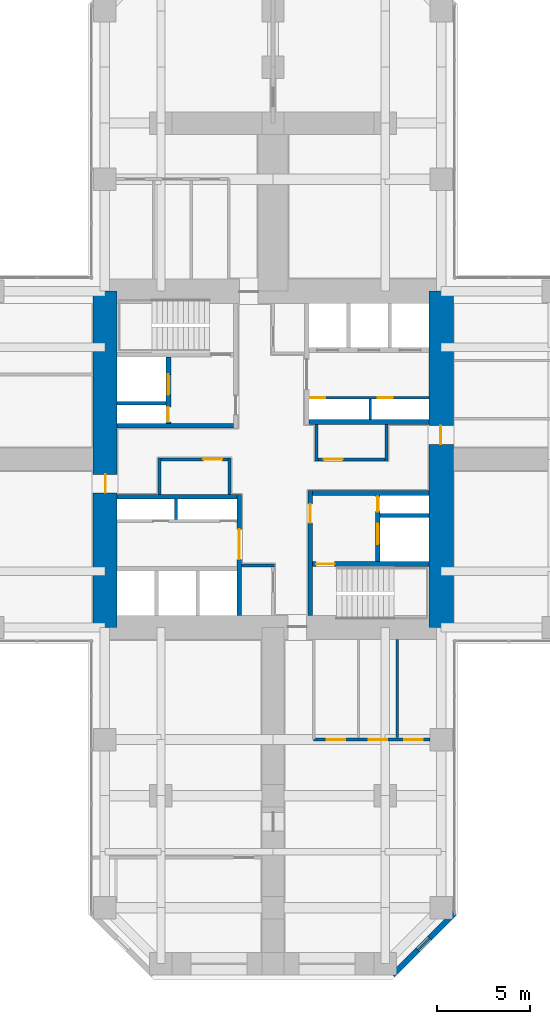
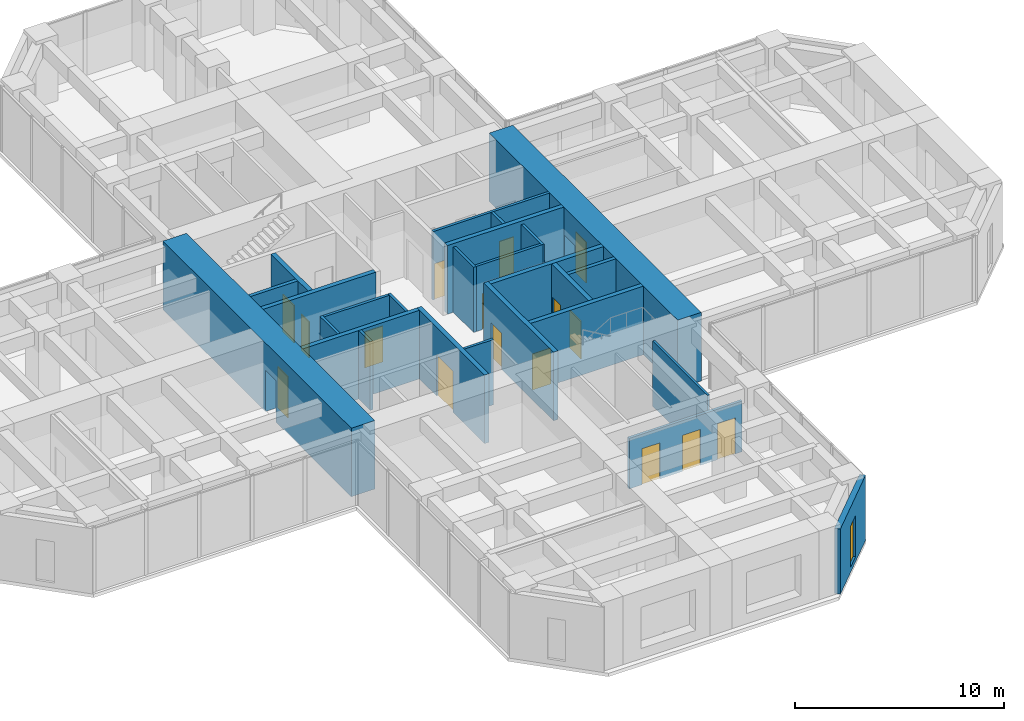
# One storey, part 9 of 12: 26 walls, 16 doors, 1 window, 17 openings.
"""IFC4 building model written with IfcOpenShell, lengths in metres."""

from ifc_helpers import new_model, si_unit, direction, frame, frame_2d, origin, place, context, subcontext, project, spatial, rectangle, hollow_rectangle, extrude, material, layer, layer_set, constituent, constituent_set, type_object, element, fill, save


model = new_model("IFC4")

# Units and contexts
model_context = context("Model", 3, precision=1e-05, world=origin(), true_north=direction((0.0, 1.0)))
body_context = subcontext(model_context, "Body", "Model", "MODEL_VIEW")
ifc_project = project(units=[si_unit("LENGTHUNIT", "METRE"), si_unit("AREAUNIT", "SQUARE_METRE"), si_unit("VOLUMEUNIT", "CUBIC_METRE"), si_unit("PLANEANGLEUNIT", "RADIAN"), si_unit("MASSUNIT", "GRAM", prefix="KILO")], contexts=[model_context])

# Site, building, storey
site_placement = place(None, origin())
site = spatial("IfcSite", under=ifc_project, at=site_placement, CompositionType="ELEMENT")
building_placement = place(site_placement, origin())
building = spatial("IfcBuilding", under=site, at=building_placement, Name="Torre Cruceta", CompositionType="ELEMENT")
storey_placement = place(building_placement, frame((0.0, 0.0, 63.5)))
storey = spatial("IfcBuildingStorey", under=building, at=storey_placement, Name="L15", CompositionType="ELEMENT", Elevation=63.5)

# Walls
ifc_material_1 = material(Name="Concrete G60 (fck 60 MPa)", Category="concrete")
ifc_layer_1 = layer(ifc_material_1, 0.25)
ifc_layer_set_1 = layer_set([ifc_layer_1], Name="Concrete G60 (fck 60 MPa)")
wall_type_1 = type_object("IfcWallType", Name="CORE INNER WALL 250 G60", PredefinedType="SHEAR", material=ifc_layer_set_1)
wall_1_placement = place(storey_placement, frame((1.925048828125, 2.0, 0.0), z_axis=(0.0, 0.0, 1.0), x_axis=(1.0, 0.0, 0.0)))
element("IfcWall", 1, at=wall_1_placement, inside=storey, type_object=wall_type_1, Name="CW4 L15 NE-CV", PredefinedType="SHEAR", context=body_context, shape_type="SweptSolid", body=[
    extrude(rectangle(XDim=6.425048828125, YDim=0.25, at=frame_2d((3.21240234375, 0.0))), origin(), (0.0, 0.0, 1.0), 4.0),
])
wall_2_placement = place(storey_placement, frame((-2.125, 1.800048828125, 0.0), z_axis=(0.0, 0.0, 1.0), x_axis=(-1.0, 0.0, 0.0)))
element("IfcWall", 2, at=wall_2_placement, inside=storey, type_object=wall_type_1, Name="CW4 L15 NW-CV", PredefinedType="SHEAR", context=body_context, shape_type="SweptSolid", body=[
    extrude(rectangle(XDim=6.22509765625, YDim=0.25, at=frame_2d((3.112548828125, 0.0))), origin(), (0.0, 0.0, 1.0), 4.0),
])

# Wall, openings, doors
wall_3_placement = place(storey_placement, frame((-5.60009765625, 1.925048828125, 0.0), z_axis=(0.0, 0.0, 1.0), x_axis=(0.0, 1.0, 0.0)))
wall_3 = element("IfcWall", 3, at=wall_3_placement, inside=storey, type_object=wall_type_1, Name="CW4 L15 NW-FU", PredefinedType="SHEAR", context=body_context, shape_type="SweptSolid", body=[
    extrude(rectangle(XDim=3.550048828125, YDim=0.25, at=frame_2d((1.77490234375, 0.0))), origin(), (0.0, 0.0, 1.0), 4.0),
])
opening_1_placement = place(wall_3_placement, frame((1.52490234375, 0.0, 0.0)))
opening_1 = element("IfcOpeningElement", 4, at=opening_1_placement, cuts=wall_3, Name="Opening LD1", PredefinedType="OPENING", context=body_context, shape_type="SweptSolid", body=[
    extrude(rectangle(XDim=1.10009765625, YDim=2.199951171875, at=frame_2d((0.550048828125, 1.10009765625))), frame((0.0, 0.135009765625, 0.0), z_axis=(0.0, -1.0, 0.0), x_axis=(1.0, 0.0, 0.0)), (0.0, 0.0, 1.0), 0.27001953125),
])
opening_2_placement = place(wall_3_placement, frame((0.074951171875, 0.0, 0.0)))
opening_2 = element("IfcOpeningElement", 5, at=opening_2_placement, cuts=wall_3, Name="Opening D5", PredefinedType="OPENING", context=body_context, shape_type="SweptSolid", body=[
    extrude(rectangle(XDim=0.800048828125, YDim=2.10009765625, at=frame_2d((0.39990234375, 1.050048828125))), frame((0.0, 0.135009765625, 0.0), z_axis=(0.0, -1.0, 0.0), x_axis=(1.0, 0.0, 0.0)), (0.0, 0.0, 1.0), 0.27001953125),
])
ifc_material_2 = material(Name="Stainless steel 1.4401", Category="steel")
door_type_1 = type_object("IfcDoorType", Name="LIFT LANDING DOOR 1100X2200", OperationType="DOUBLE_DOOR_SLIDING", PredefinedType="DOOR", material=ifc_material_2)
door_1_placement = place(opening_1_placement, origin())
door_1 = element("IfcDoor", 6, at=door_1_placement, inside=storey, type_object=door_type_1, Name="Lift landing door FL1", OperationType="DOUBLE_DOOR_SLIDING", OverallHeight=2.199951171875, OverallWidth=1.10009765625, PredefinedType="DOOR", context=body_context, shape_type="SweptSolid", body=[
    extrude(rectangle(XDim=1.10009765625, YDim=2.199951171875, at=frame_2d((0.550048828125, 1.10009765625))), frame((0.0, 0.02490234375, 0.0), z_axis=(0.0, -1.0, 0.0), x_axis=(1.0, 0.0, 0.0)), (0.0, 0.0, 1.0), 0.050048828125),
])
fill(opening_1, door_1)
ifc_material_3 = material(Name="Steel DX51D", Category="steel")
ifc_constituent_1 = constituent(ifc_material_3, Name="Leaf and frame")
ifc_material_4 = material(Name="Polyester powder coating", Category="paint")
ifc_constituent_2 = constituent(ifc_material_4, Name="Finish")
ifc_constituent_set_1 = constituent_set(constituents=[ifc_constituent_1, ifc_constituent_2], Name="Steel fire door")
door_type_2 = type_object("IfcDoorType", Name="RISER ACCESS DOOR 800X2100", OperationType="SINGLE_SWING_LEFT", PredefinedType="DOOR", material=ifc_constituent_set_1)
door_2_placement = place(opening_2_placement, origin())
door_2 = element("IfcDoor", 7, at=door_2_placement, inside=storey, type_object=door_type_2, Name="D5 L15 NW-RISER", OperationType="SINGLE_SWING_LEFT", OverallHeight=2.10009765625, OverallWidth=0.800048828125, PredefinedType="DOOR", context=body_context, shape_type="SweptSolid", body=[
    extrude(rectangle(XDim=0.800048828125, YDim=2.10009765625, at=frame_2d((0.39990234375, 1.050048828125))), frame((0.0, 0.02490234375, 0.0), z_axis=(0.0, -1.0, 0.0), x_axis=(1.0, 0.0, 0.0)), (0.0, 0.0, 1.0), 0.050048828125),
])
fill(opening_2, door_2)

# Wall, opening, door
wall_4_placement = place(storey_placement, frame((-1.800048828125, -1.875, 0.0), z_axis=(0.0, 0.0, 1.0), x_axis=(0.0, -1.0, 0.0)))
wall_4 = element("IfcWall", 8, at=wall_4_placement, inside=storey, type_object=wall_type_1, Name="CW4 L15 SW-CU", PredefinedType="SHEAR", context=body_context, shape_type="SweptSolid", body=[
    extrude(rectangle(XDim=6.47509765625, YDim=0.25, at=frame_2d((3.237548828125, 0.0))), origin(), (0.0, 0.0, 1.0), 4.0),
])
opening_3_placement = place(wall_4_placement, frame((1.875, 0.0, 0.0)))
opening_3 = element("IfcOpeningElement", 9, at=opening_3_placement, cuts=wall_4, Name="Opening D15", PredefinedType="OPENING", context=body_context, shape_type="SweptSolid", body=[
    extrude(rectangle(XDim=1.60009765625, YDim=2.39990234375, at=frame_2d((0.800048828125, 1.199951171875))), frame((0.0, 0.135009765625, 0.0), z_axis=(0.0, -1.0, 0.0), x_axis=(1.0, 0.0, 0.0)), (0.0, 0.0, 1.0), 0.27001953125),
])
ifc_material_5 = material(Name="Steel DX51D", Category="steel")
ifc_constituent_3 = constituent(ifc_material_5, Name="Leaf and frame")
ifc_material_6 = material(Name="Polyester powder coating", Category="paint")
ifc_constituent_4 = constituent(ifc_material_6, Name="Finish")
ifc_constituent_set_2 = constituent_set(constituents=[ifc_constituent_3, ifc_constituent_4], Name="Steel fire door")
door_type_3 = type_object("IfcDoorType", Name="CORE ROOM DOUBLE DOOR 1600X2400", OperationType="DOUBLE_DOOR_SINGLE_SWING", PredefinedType="DOOR", material=ifc_constituent_set_2)
door_3_placement = place(opening_3_placement, frame((1.60009765625, 0.0, 0.0), z_axis=(0.0, 0.0, 1.0), x_axis=(-1.0, 0.0, 0.0)))
door_3 = element("IfcDoor", 10, at=door_3_placement, inside=storey, type_object=door_type_3, Name="D15 L15 SW-LOBBY", OperationType="DOUBLE_DOOR_SINGLE_SWING", OverallHeight=2.39990234375, OverallWidth=1.60009765625, PredefinedType="DOOR", context=body_context, shape_type="SweptSolid", body=[
    extrude(rectangle(XDim=1.60009765625, YDim=2.39990234375, at=frame_2d((0.800048828125, 1.199951171875))), frame((0.0, 0.025146484375, 0.0), z_axis=(0.0, -1.0, 0.0), x_axis=(1.0, 0.0, 0.0)), (0.0, 0.0, 1.0), 0.050048828125),
])
fill(opening_3, door_3)

# Wall
wall_5_placement = place(storey_placement, frame((-1.925048828125, -2.0, 0.0), z_axis=(0.0, 0.0, 1.0), x_axis=(-1.0, 0.0, 0.0)))
element("IfcWall", 11, at=wall_5_placement, inside=storey, type_object=wall_type_1, Name="CW4 L15 SW-CV", PredefinedType="SHEAR", context=body_context, shape_type="SweptSolid", body=[
    extrude(rectangle(XDim=6.425048828125, YDim=0.25, at=frame_2d((3.21240234375, 0.0))), origin(), (0.0, 0.0, 1.0), 4.0),
])

# Wall, opening, door
wall_6_placement = place(storey_placement, frame((2.0, -1.675048828125, 0.0), z_axis=(0.0, 0.0, 1.0), x_axis=(0.0, -1.0, 0.0)))
wall_6 = element("IfcWall", 12, at=wall_6_placement, inside=storey, type_object=wall_type_1, Name="CW4 L15 SE-CU", PredefinedType="SHEAR", context=body_context, shape_type="SweptSolid", body=[
    extrude(rectangle(XDim=6.675048828125, YDim=0.25, at=frame_2d((3.33740234375, 0.0))), origin(), (0.0, 0.0, 1.0), 4.0),
])
opening_4_placement = place(wall_6_placement, frame((0.72509765625, 0.0, 0.0)))
opening_4 = element("IfcOpeningElement", 13, at=opening_4_placement, cuts=wall_6, Name="Opening D3", PredefinedType="OPENING", context=body_context, shape_type="SweptSolid", body=[
    extrude(rectangle(XDim=1.0, YDim=2.10009765625, at=frame_2d((0.5, 1.050048828125))), frame((0.0, 0.135009765625, 0.0), z_axis=(0.0, -1.0, 0.0), x_axis=(1.0, 0.0, 0.0)), (0.0, 0.0, 1.0), 0.27001953125),
])
ifc_material_7 = material(Name="Steel DX51D", Category="steel")
ifc_constituent_5 = constituent(ifc_material_7, Name="Leaf and frame")
ifc_material_8 = material(Name="Polyester powder coating", Category="paint")
ifc_constituent_6 = constituent(ifc_material_8, Name="Finish")
ifc_constituent_set_3 = constituent_set(constituents=[ifc_constituent_5, ifc_constituent_6], Name="Steel fire door")
door_type_4 = type_object("IfcDoorType", Name="FIRE DOOR 1000X2100", OperationType="SINGLE_SWING_LEFT", PredefinedType="DOOR", material=ifc_constituent_set_3)
door_4_placement = place(opening_4_placement, origin())
door_4 = element("IfcDoor", 14, at=door_4_placement, inside=storey, type_object=door_type_4, Name="D3 L15 SE-LOBBY", OperationType="SINGLE_SWING_LEFT", OverallHeight=2.10009765625, OverallWidth=1.0, PredefinedType="DOOR", context=body_context, shape_type="SweptSolid", body=[
    extrude(rectangle(XDim=1.0, YDim=2.10009765625, at=frame_2d((0.5, 1.050048828125))), frame((0.0, 0.02490234375, 0.0), z_axis=(0.0, -1.0, 0.0), x_axis=(1.0, 0.0, 0.0)), (0.0, 0.0, 1.0), 0.050048828125),
])
fill(opening_4, door_4)

# Wall
wall_7_placement = place(storey_placement, frame((2.125, -1.800048828125, 0.0), z_axis=(0.0, 0.0, 1.0), x_axis=(1.0, 0.0, 0.0)))
element("IfcWall", 15, at=wall_7_placement, inside=storey, type_object=wall_type_1, Name="CW4 L15 SE-CV", PredefinedType="SHEAR", context=body_context, shape_type="SweptSolid", body=[
    extrude(rectangle(XDim=6.22509765625, YDim=0.25, at=frame_2d((3.112548828125, 0.0))), origin(), (0.0, 0.0, 1.0), 4.0),
])

# Wall, opening, door
wall_8_placement = place(storey_placement, frame((2.125, -5.60009765625, 0.0), z_axis=(0.0, 0.0, 1.0), x_axis=(1.0, 0.0, 0.0)))
wall_8 = element("IfcWall", 16, at=wall_8_placement, inside=storey, type_object=wall_type_1, Name="CW4 L15 SE-SV", PredefinedType="SHEAR", context=body_context, shape_type="SweptSolid", body=[
    extrude(rectangle(XDim=6.22509765625, YDim=0.25, at=frame_2d((3.112548828125, 0.0))), origin(), (0.0, 0.0, 1.0), 4.0),
])
opening_5_placement = place(wall_8_placement, frame((0.175048828125, 0.0, 0.0)))
opening_5 = element("IfcOpeningElement", 17, at=opening_5_placement, cuts=wall_8, Name="Opening D3", PredefinedType="OPENING", context=body_context, shape_type="SweptSolid", body=[
    extrude(rectangle(XDim=1.0, YDim=2.10009765625, at=frame_2d((0.5, 1.050048828125))), frame((0.0, 0.135009765625, 0.0), z_axis=(0.0, -1.0, 0.0), x_axis=(1.0, 0.0, 0.0)), (0.0, 0.0, 1.0), 0.27001953125),
])
door_5_placement = place(opening_5_placement, frame((1.0, 0.0, 0.0), z_axis=(0.0, 0.0, 1.0), x_axis=(-1.0, 0.0, 0.0)))
door_5 = element("IfcDoor", 18, at=door_5_placement, inside=storey, type_object=door_type_4, Name="D3 L15 SE-STAIR", OperationType="SINGLE_SWING_RIGHT", OverallHeight=2.10009765625, OverallWidth=1.0, PredefinedType="DOOR", context=body_context, shape_type="SweptSolid", body=[
    extrude(rectangle(XDim=1.0, YDim=2.10009765625, at=frame_2d((0.5, 1.050048828125))), frame((0.0, 0.025146484375, 0.0), z_axis=(0.0, -1.0, 0.0), x_axis=(1.0, 0.0, 0.0)), (0.0, 0.0, 1.0), 0.050048828125),
])
fill(opening_5, door_5)

# Wall, openings, doors
wall_9_placement = place(storey_placement, frame((5.60009765625, -1.925048828125, 0.0), z_axis=(0.0, 0.0, 1.0), x_axis=(0.0, -1.0, 0.0)))
wall_9 = element("IfcWall", 19, at=wall_9_placement, inside=storey, type_object=wall_type_1, Name="CW4 L15 SE-FU", PredefinedType="SHEAR", context=body_context, shape_type="SweptSolid", body=[
    extrude(rectangle(XDim=3.550048828125, YDim=0.25, at=frame_2d((1.77490234375, 0.0))), origin(), (0.0, 0.0, 1.0), 4.0),
])
opening_6_placement = place(wall_9_placement, frame((1.52490234375, 0.0, 0.0)))
opening_6 = element("IfcOpeningElement", 20, at=opening_6_placement, cuts=wall_9, Name="Opening LD1", PredefinedType="OPENING", context=body_context, shape_type="SweptSolid", body=[
    extrude(rectangle(XDim=1.10009765625, YDim=2.199951171875, at=frame_2d((0.550048828125, 1.10009765625))), frame((0.0, 0.135009765625, 0.0), z_axis=(0.0, -1.0, 0.0), x_axis=(1.0, 0.0, 0.0)), (0.0, 0.0, 1.0), 0.27001953125),
])
opening_7_placement = place(wall_9_placement, frame((0.074951171875, 0.0, 0.0)))
opening_7 = element("IfcOpeningElement", 21, at=opening_7_placement, cuts=wall_9, Name="Opening D5", PredefinedType="OPENING", context=body_context, shape_type="SweptSolid", body=[
    extrude(rectangle(XDim=0.800048828125, YDim=2.10009765625, at=frame_2d((0.39990234375, 1.050048828125))), frame((0.0, 0.135009765625, 0.0), z_axis=(0.0, -1.0, 0.0), x_axis=(1.0, 0.0, 0.0)), (0.0, 0.0, 1.0), 0.27001953125),
])
door_6_placement = place(opening_6_placement, origin())
door_6 = element("IfcDoor", 22, at=door_6_placement, inside=storey, type_object=door_type_1, Name="Lift landing door FL2", OperationType="DOUBLE_DOOR_SLIDING", OverallHeight=2.199951171875, OverallWidth=1.10009765625, PredefinedType="DOOR", context=body_context, shape_type="SweptSolid", body=[
    extrude(rectangle(XDim=1.10009765625, YDim=2.199951171875, at=frame_2d((0.550048828125, 1.10009765625))), frame((0.0, 0.02490234375, 0.0), z_axis=(0.0, -1.0, 0.0), x_axis=(1.0, 0.0, 0.0)), (0.0, 0.0, 1.0), 0.050048828125),
])
fill(opening_6, door_6)
door_7_placement = place(opening_7_placement, origin())
door_7 = element("IfcDoor", 23, at=door_7_placement, inside=storey, type_object=door_type_2, Name="D5 L15 SE-RISER", OperationType="SINGLE_SWING_LEFT", OverallHeight=2.10009765625, OverallWidth=0.800048828125, PredefinedType="DOOR", context=body_context, shape_type="SweptSolid", body=[
    extrude(rectangle(XDim=0.800048828125, YDim=2.10009765625, at=frame_2d((0.39990234375, 1.050048828125))), frame((0.0, 0.02490234375, 0.0), z_axis=(0.0, -1.0, 0.0), x_axis=(1.0, 0.0, 0.0)), (0.0, 0.0, 1.0), 0.050048828125),
])
fill(opening_7, door_7)

# Wall, opening, door
ifc_material_9 = material(Name="Concrete G60 (fck 60 MPa)", Category="concrete")
ifc_layer_2 = layer(ifc_material_9, 1.300048828125)
ifc_layer_set_2 = layer_set([ifc_layer_2], Name="Concrete G60 (fck 60 MPa)")
wall_type_2 = type_object("IfcWallType", Name="CORE WALL 1300 G60", PredefinedType="SHEAR", material=ifc_layer_set_2)
wall_10_placement = place(storey_placement, frame((9.0, -9.0, 0.0), z_axis=(0.0, 0.0, 1.0), x_axis=(0.0, 1.0, 0.0)))
wall_10 = element("IfcWall", 24, at=wall_10_placement, inside=storey, type_object=wall_type_2, Name="CW1 L15 CW-E", PredefinedType="SHEAR", context=body_context, shape_type="SweptSolid", body=[
    extrude(rectangle(XDim=18.0, YDim=1.300048828125, at=frame_2d((9.0, 0.0))), origin(), (0.0, 0.0, 1.0), 4.0),
])
opening_8_placement = place(wall_10_placement, frame((9.800048828125, 0.0, 0.0)))
opening_8 = element("IfcOpeningElement", 25, at=opening_8_placement, cuts=wall_10, Name="Opening D4", PredefinedType="OPENING", context=body_context, shape_type="SweptSolid", body=[
    extrude(rectangle(XDim=1.0, YDim=2.39990234375, at=frame_2d((0.5, 1.199951171875))), frame((0.0, 0.659912109375, 0.0), z_axis=(0.0, -1.0, 0.0), x_axis=(1.0, 0.0, 0.0)), (0.0, 0.0, 1.0), 1.320068359375),
])
ifc_material_10 = material(Name="Steel DX51D", Category="steel")
ifc_constituent_7 = constituent(ifc_material_10, Name="Leaf and frame")
ifc_material_11 = material(Name="Polyester powder coating", Category="paint")
ifc_constituent_8 = constituent(ifc_material_11, Name="Finish")
ifc_constituent_set_4 = constituent_set(constituents=[ifc_constituent_7, ifc_constituent_8], Name="Steel fire door")
door_type_5 = type_object("IfcDoorType", Name="CORE ARM DOOR 1000X2400", OperationType="SINGLE_SWING_RIGHT", PredefinedType="DOOR", material=ifc_constituent_set_4)
door_8_placement = place(opening_8_placement, frame((1.0, 0.0, 0.0), z_axis=(0.0, 0.0, 1.0), x_axis=(-1.0, 0.0, 0.0)))
door_8 = element("IfcDoor", 26, at=door_8_placement, inside=storey, type_object=door_type_5, Name="D4 L15 CW-E", OperationType="SINGLE_SWING_RIGHT", OverallHeight=2.39990234375, OverallWidth=1.0, PredefinedType="DOOR", context=body_context, shape_type="SweptSolid", body=[
    extrude(rectangle(XDim=1.0, YDim=2.39990234375, at=frame_2d((0.5, 1.199951171875))), frame((0.0, -0.005126953125, 0.0), z_axis=(0.0, -1.0, 0.0), x_axis=(1.0, 0.0, 0.0)), (0.0, 0.0, 1.0), 0.050048828125),
])
fill(opening_8, door_8)

wall_11_placement = place(storey_placement, frame((-9.0, 9.0, 0.0), z_axis=(0.0, 0.0, 1.0), x_axis=(0.0, -1.0, 0.0)))
wall_11 = element("IfcWall", 27, at=wall_11_placement, inside=storey, type_object=wall_type_2, Name="CW1 L15 CW-W", PredefinedType="SHEAR", context=body_context, shape_type="SweptSolid", body=[
    extrude(rectangle(XDim=18.0, YDim=1.300048828125, at=frame_2d((9.0, 0.0))), origin(), (0.0, 0.0, 1.0), 4.0),
])
opening_9_placement = place(wall_11_placement, frame((9.800048828125, 0.0, 0.0)))
opening_9 = element("IfcOpeningElement", 28, at=opening_9_placement, cuts=wall_11, Name="Opening D4", PredefinedType="OPENING", context=body_context, shape_type="SweptSolid", body=[
    extrude(rectangle(XDim=1.0, YDim=2.39990234375, at=frame_2d((0.5, 1.199951171875))), frame((0.0, 0.659912109375, 0.0), z_axis=(0.0, -1.0, 0.0), x_axis=(1.0, 0.0, 0.0)), (0.0, 0.0, 1.0), 1.320068359375),
])
door_9_placement = place(opening_9_placement, frame((1.0, 0.0, 0.0), z_axis=(0.0, 0.0, 1.0), x_axis=(-1.0, 0.0, 0.0)))
door_9 = element("IfcDoor", 29, at=door_9_placement, inside=storey, type_object=door_type_5, Name="D4 L15 CW-W", OperationType="SINGLE_SWING_RIGHT", OverallHeight=2.39990234375, OverallWidth=1.0, PredefinedType="DOOR", context=body_context, shape_type="SweptSolid", body=[
    extrude(rectangle(XDim=1.0, YDim=2.39990234375, at=frame_2d((0.5, 1.199951171875))), frame((0.0, -0.005126953125, 0.0), z_axis=(0.0, -1.0, 0.0), x_axis=(1.0, 0.0, 0.0)), (0.0, 0.0, 1.0), 0.050048828125),
])
fill(opening_9, door_9)

# Wall, opening, window
ifc_material_12 = material(Name="Concrete G30 (fck 30 MPa)", Category="concrete")
ifc_layer_3 = layer(ifc_material_12, 0.300048828125)
ifc_layer_set_3 = layer_set([ifc_layer_3], Name="Concrete G30 (fck 30 MPa)")
wall_type_3 = type_object("IfcWallType", Name="EXPOSED CONCRETE FACADE WALL 300", PredefinedType="SOLIDWALL", material=ifc_layer_set_3)
wall_12_placement = place(storey_placement, frame((6.418212890625, -27.60009765625, 0.0), z_axis=(0.0, 0.0, 1.0), x_axis=(0.707106781187, 0.707106781187, 0.0)))
wall_12 = element("IfcWall", 30, at=wall_12_placement, inside=storey, type_object=wall_type_3, Name="EW1 facade wall L15 S chamfer 18", PredefinedType="SOLIDWALL", context=body_context, shape_type="SweptSolid", body=[
    extrude(rectangle(XDim=4.66943359375, YDim=0.300048828125, at=frame_2d((2.334716796875, 0.0))), origin(), (0.0, 0.0, 1.0), 3.800048828125),
])
opening_10_placement = place(wall_12_placement, frame((1.884765625, 0.0, 0.300048828125)))
opening_10 = element("IfcOpeningElement", 31, at=opening_10_placement, cuts=wall_12, Name="Opening WN5", PredefinedType="OPENING", context=body_context, shape_type="SweptSolid", body=[
    extrude(rectangle(XDim=0.89990234375, YDim=2.39990234375, at=frame_2d((0.449951171875, 1.199951171875))), frame((0.0, 0.159912109375, 0.0), z_axis=(0.0, -1.0, 0.0), x_axis=(1.0, 0.0, 0.0)), (0.0, 0.0, 1.0), 0.320068359375),
])
ifc_material_13 = material(Name="Aluminium window frame", Category="aluminium")
ifc_constituent_9 = constituent(ifc_material_13, Name="Frame")
ifc_material_14 = material(Name="Laminated insulating glass unit, low-iron clear", Category="glass")
ifc_constituent_10 = constituent(ifc_material_14, Name="Glazing")
ifc_constituent_set_5 = constituent_set(constituents=[ifc_constituent_9, ifc_constituent_10], Name="Aluminium window")
window_type = type_object("IfcWindowType", Name="CHAMFER SLOT WINDOW 900X2400", PartitioningType="SINGLE_PANEL", PredefinedType="WINDOW", material=ifc_constituent_set_5)
window_placement = place(opening_10_placement, origin())
window = element("IfcWindow", 32, at=window_placement, inside=storey, type_object=window_type, Name="WN5 L15 S 1", OverallHeight=2.39990234375, OverallWidth=0.89990234375, PartitioningType="SINGLE_PANEL", PredefinedType="WINDOW", context=body_context, shape_type="SweptSolid", body=[
    extrude(hollow_rectangle(XDim=0.89990234375, YDim=2.39990234375, WallThickness=0.06005859375, at=frame_2d((0.449951171875, 1.199951171875))), frame((0.0, 0.030029296875, 0.0), z_axis=(0.0, -1.0, 0.0), x_axis=(1.0, 0.0, 0.0)), (0.0, 0.0, 1.0), 0.06005859375),
    extrude(rectangle(XDim=0.77880859375, YDim=2.27880859375, at=frame_2d((0.449951171875, 1.199951171875))), frame((0.0, 0.030029296875, 0.0), z_axis=(0.0, -1.0, 0.0), x_axis=(1.0, 0.0, 0.0)), (0.0, 0.0, 1.0), 0.06005859375),
])
fill(opening_10, window)

# Walls
ifc_material_15 = material(Name="Concrete G35 (fck 35 MPa)", Category="concrete")
ifc_layer_4 = layer(ifc_material_15, 0.199951171875)
ifc_layer_set_4 = layer_set([ifc_layer_4], Name="Concrete G35 (fck 35 MPa)")
wall_type_4 = type_object("IfcWallType", Name="LIFT SHAFT WALL 200", PredefinedType="PARTITIONING", material=ifc_layer_set_4)
for number, where, z_axis, x_axis, name in (
    (33, (-5.72509765625, 3.0, 0.0), (0.0, 0.0, 1.0), (-1.0, 0.0, 0.0), "SW1 L15 NW-FR"),
    (34, (5.72509765625, -3.0, 0.0), (0.0, 0.0, 1.0), (1.0, 0.0, 0.0), "SW1 L15 SE-FR"),
):
    element("IfcWall", number, at=place(storey_placement, frame(where, z_axis=z_axis, x_axis=x_axis)), inside=storey, type_object=wall_type_4, Name=name, PredefinedType="PARTITIONING", context=body_context, shape_type="SweptSolid", body=[
        extrude(rectangle(XDim=2.625, YDim=0.199951171875, at=frame_2d((1.3125, 0.0))), origin(), (0.0, 0.0, 1.0), 4.0),
    ])

# Wall, opening, door
ifc_material_16 = material(Name="Plasterboard on steel studs", Category="steel")
ifc_layer_5 = layer(ifc_material_16, 0.14990234375)
ifc_layer_set_5 = layer_set([ifc_layer_5], Name="Plasterboard on steel studs")
wall_type_5 = type_object("IfcWallType", Name="PARTITION 150", PredefinedType="PARTITIONING", material=ifc_layer_set_5)
wall_13_placement = place(storey_placement, frame((2.324951171875, 0.0, 0.0), z_axis=(0.0, 0.0, 1.0), x_axis=(1.0, 0.0, 0.0)))
wall_13 = element("IfcWall", 35, at=wall_13_placement, inside=storey, type_object=wall_type_5, Name="PT1 L15-CORE-LEGE-N-W1", PredefinedType="PARTITIONING", context=body_context, shape_type="SweptSolid", body=[
    extrude(rectangle(XDim=3.75, YDim=0.14990234375, at=frame_2d((1.875, 0.0))), origin(), (0.0, 0.0, 1.0), 3.800048828125),
])
opening_11_placement = place(wall_13_placement, frame((0.39990234375, 0.0, 0.0)))
opening_11 = element("IfcOpeningElement", 36, at=opening_11_placement, cuts=wall_13, Name="Opening D3", PredefinedType="OPENING", context=body_context, shape_type="SweptSolid", body=[
    extrude(rectangle(XDim=1.0, YDim=2.10009765625, at=frame_2d((0.5, 1.050048828125))), frame((0.0, 0.0849609375, 0.0), z_axis=(0.0, -1.0, 0.0), x_axis=(1.0, 0.0, 0.0)), (0.0, 0.0, 1.0), 0.169921875),
])
door_10_placement = place(opening_11_placement, origin())
door_10 = element("IfcDoor", 37, at=door_10_placement, inside=storey, type_object=door_type_4, Name="D3 L15-CORE-LEGE-N-W1-D1", OperationType="SINGLE_SWING_LEFT", OverallHeight=2.10009765625, OverallWidth=1.0, PredefinedType="DOOR", context=body_context, shape_type="SweptSolid", body=[
    extrude(rectangle(XDim=1.0, YDim=2.10009765625, at=frame_2d((0.5, 1.050048828125))), frame((0.0, 0.02490234375, 0.0), z_axis=(0.0, -1.0, 0.0), x_axis=(1.0, 0.0, 0.0)), (0.0, 0.0, 1.0), 0.050048828125),
])
fill(opening_11, door_10)

# Walls
for number, where, z_axis, x_axis, name in (
    (38, (2.324951171875, 1.875, 0.0), (0.0, 0.0, 1.0), (0.0, -1.0, 0.0), "PT1 L15-CORE-LEGE-N-W2"),
    (39, (6.074951171875, -0.074951171875, 0.0), (0.0, 0.0, 1.0), (0.0, 1.0, 0.0), "PT1 L15-CORE-LEGE-N-W3"),
):
    element("IfcWall", number, at=place(storey_placement, frame(where, z_axis=z_axis, x_axis=x_axis)), inside=storey, type_object=wall_type_5, Name=name, PredefinedType="PARTITIONING", context=body_context, shape_type="SweptSolid", body=[
        extrude(rectangle(XDim=1.949951171875, YDim=0.14990234375, at=frame_2d((0.97509765625, 0.0))), origin(), (0.0, 0.0, 1.0), 3.800048828125),
    ])

# Wall, opening, door
wall_14_placement = place(storey_placement, frame((-2.324951171875, 0.0, 0.0), z_axis=(0.0, 0.0, 1.0), x_axis=(-1.0, 0.0, 0.0)))
wall_14 = element("IfcWall", 40, at=wall_14_placement, inside=storey, type_object=wall_type_5, Name="PT1 L15-CORE-LEGW-S-W1", PredefinedType="PARTITIONING", context=body_context, shape_type="SweptSolid", body=[
    extrude(rectangle(XDim=3.75, YDim=0.14990234375, at=frame_2d((1.875, 0.0))), origin(), (0.0, 0.0, 1.0), 3.800048828125),
])
opening_12_placement = place(wall_14_placement, frame((0.39990234375, 0.0, 0.0)))
opening_12 = element("IfcOpeningElement", 41, at=opening_12_placement, cuts=wall_14, Name="Opening D3", PredefinedType="OPENING", context=body_context, shape_type="SweptSolid", body=[
    extrude(rectangle(XDim=1.0, YDim=2.10009765625, at=frame_2d((0.5, 1.050048828125))), frame((0.0, 0.0849609375, 0.0), z_axis=(0.0, -1.0, 0.0), x_axis=(1.0, 0.0, 0.0)), (0.0, 0.0, 1.0), 0.169921875),
])
door_11_placement = place(opening_12_placement, origin())
door_11 = element("IfcDoor", 42, at=door_11_placement, inside=storey, type_object=door_type_4, Name="D3 L15-CORE-LEGW-S-W1-D1", OperationType="SINGLE_SWING_LEFT", OverallHeight=2.10009765625, OverallWidth=1.0, PredefinedType="DOOR", context=body_context, shape_type="SweptSolid", body=[
    extrude(rectangle(XDim=1.0, YDim=2.10009765625, at=frame_2d((0.5, 1.050048828125))), frame((0.0, 0.02490234375, 0.0), z_axis=(0.0, -1.0, 0.0), x_axis=(1.0, 0.0, 0.0)), (0.0, 0.0, 1.0), 0.050048828125),
])
fill(opening_12, door_11)

# Walls
for number, where, z_axis, x_axis, name in (
    (43, (-2.324951171875, -1.875, 0.0), (0.0, 0.0, 1.0), (0.0, 1.0, 0.0), "PT1 L15-CORE-LEGW-S-W2"),
    (44, (-6.074951171875, 0.074951171875, 0.0), (0.0, 0.0, 1.0), (0.0, -1.0, 0.0), "PT1 L15-CORE-LEGW-S-W3"),
):
    element("IfcWall", number, at=place(storey_placement, frame(where, z_axis=z_axis, x_axis=x_axis)), inside=storey, type_object=wall_type_5, Name=name, PredefinedType="PARTITIONING", context=body_context, shape_type="SweptSolid", body=[
        extrude(rectangle(XDim=1.949951171875, YDim=0.14990234375, at=frame_2d((0.97509765625, 0.0))), origin(), (0.0, 0.0, 1.0), 3.800048828125),
    ])
wall_15_placement = place(storey_placement, frame((-1.675048828125, -5.675048828125, 0.0), z_axis=(0.0, 0.0, 1.0), x_axis=(1.0, 0.0, 0.0)))
element("IfcWall", 45, at=wall_15_placement, inside=storey, type_object=wall_type_5, Name="PT1 L15-CORE-LEGS-W-W2", PredefinedType="PARTITIONING", context=body_context, shape_type="SweptSolid", body=[
    extrude(rectangle(XDim=1.75, YDim=0.14990234375, at=frame_2d((0.875, 0.0))), origin(), (0.0, 0.0, 1.0), 3.800048828125),
])

# Wall, openings, doors
wall_16_placement = place(storey_placement, frame((2.175048828125, -15.0, 0.0), z_axis=(0.0, 0.0, 1.0), x_axis=(1.0, 0.0, 0.0)))
wall_16 = element("IfcWall", 46, at=wall_16_placement, inside=storey, type_object=wall_type_5, Name="PT1 L15-S-BFL", PredefinedType="PARTITIONING", context=body_context, shape_type="SweptSolid", body=[
    extrude(rectangle(XDim=6.224853515625, YDim=0.14990234375, at=frame_2d((3.1123046875, 0.0))), origin(), (0.0, 0.0, 1.0), 2.949951171875),
])
opening_13_placement = place(wall_16_placement, frame((0.699951171875, 0.0, 0.0)))
opening_13 = element("IfcOpeningElement", 47, at=opening_13_placement, cuts=wall_16, Name="Opening D3", PredefinedType="OPENING", context=body_context, shape_type="SweptSolid", body=[
    extrude(rectangle(XDim=1.0, YDim=2.10009765625, at=frame_2d((0.5, 1.050048828125))), frame((0.0, 0.0849609375, 0.0), z_axis=(0.0, -1.0, 0.0), x_axis=(1.0, 0.0, 0.0)), (0.0, 0.0, 1.0), 0.169921875),
])
opening_14_placement = place(wall_16_placement, frame((2.9375, 0.0, 0.0)))
opening_14 = element("IfcOpeningElement", 48, at=opening_14_placement, cuts=wall_16, Name="Opening D3", PredefinedType="OPENING", context=body_context, shape_type="SweptSolid", body=[
    extrude(rectangle(XDim=1.0, YDim=2.10009765625, at=frame_2d((0.5, 1.050048828125))), frame((0.0, 0.0849609375, 0.0), z_axis=(0.0, -1.0, 0.0), x_axis=(1.0, 0.0, 0.0)), (0.0, 0.0, 1.0), 0.169921875),
])
opening_15_placement = place(wall_16_placement, frame((4.85009765625, 0.0, 0.0)))
opening_15 = element("IfcOpeningElement", 49, at=opening_15_placement, cuts=wall_16, Name="Opening D3", PredefinedType="OPENING", context=body_context, shape_type="SweptSolid", body=[
    extrude(rectangle(XDim=1.0, YDim=2.10009765625, at=frame_2d((0.5, 1.050048828125))), frame((0.0, 0.0849609375, 0.0), z_axis=(0.0, -1.0, 0.0), x_axis=(1.0, 0.0, 0.0)), (0.0, 0.0, 1.0), 0.169921875),
])
door_12_placement = place(opening_13_placement, origin())
door_12 = element("IfcDoor", 50, at=door_12_placement, inside=storey, type_object=door_type_4, Name="D3 L15-S-BFL-D1", OperationType="SINGLE_SWING_LEFT", OverallHeight=2.10009765625, OverallWidth=1.0, PredefinedType="DOOR", context=body_context, shape_type="SweptSolid", body=[
    extrude(rectangle(XDim=1.0, YDim=2.10009765625, at=frame_2d((0.5, 1.050048828125))), frame((0.0, 0.02490234375, 0.0), z_axis=(0.0, -1.0, 0.0), x_axis=(1.0, 0.0, 0.0)), (0.0, 0.0, 1.0), 0.050048828125),
])
fill(opening_13, door_12)
door_13_placement = place(opening_14_placement, origin())
door_13 = element("IfcDoor", 51, at=door_13_placement, inside=storey, type_object=door_type_4, Name="D3 L15-S-BFL-D2", OperationType="SINGLE_SWING_RIGHT", OverallHeight=2.10009765625, OverallWidth=1.0, PredefinedType="DOOR", context=body_context, shape_type="SweptSolid", body=[
    extrude(rectangle(XDim=1.0, YDim=2.10009765625, at=frame_2d((0.5, 1.050048828125))), frame((0.0, 0.02490234375, 0.0), z_axis=(0.0, -1.0, 0.0), x_axis=(1.0, 0.0, 0.0)), (0.0, 0.0, 1.0), 0.050048828125),
])
fill(opening_14, door_13)
door_14_placement = place(opening_15_placement, origin())
door_14 = element("IfcDoor", 52, at=door_14_placement, inside=storey, type_object=door_type_4, Name="D3 L15-S-BFL-D3", OperationType="SINGLE_SWING_LEFT", OverallHeight=2.10009765625, OverallWidth=1.0, PredefinedType="DOOR", context=body_context, shape_type="SweptSolid", body=[
    extrude(rectangle(XDim=1.0, YDim=2.10009765625, at=frame_2d((0.5, 1.050048828125))), frame((0.0, 0.02490234375, 0.0), z_axis=(0.0, -1.0, 0.0), x_axis=(1.0, 0.0, 0.0)), (0.0, 0.0, 1.0), 0.050048828125),
])
fill(opening_15, door_14)

ifc_material_17 = material(Name="Concrete block masonry", Category="masonry")
ifc_layer_6 = layer(ifc_material_17, 0.14990234375)
ifc_layer_set_6 = layer_set([ifc_layer_6], Name="Concrete block masonry")
wall_type_6 = type_object("IfcWallType", Name="RISER WALL 150", PredefinedType="PARTITIONING", material=ifc_layer_set_6)
wall_17_placement = place(storey_placement, frame((1.925048828125, 3.300048828125, 0.0), z_axis=(0.0, 0.0, 1.0), x_axis=(1.0, 0.0, 0.0)))
wall_17 = element("IfcWall", 53, at=wall_17_placement, inside=storey, type_object=wall_type_6, Name="SW7 L15 NE-RV", PredefinedType="PARTITIONING", context=body_context, shape_type="SweptSolid", body=[
    extrude(rectangle(XDim=6.425048828125, YDim=0.14990234375, at=frame_2d((3.21240234375, 0.0))), origin(), (0.0, 0.0, 1.0), 4.0),
])
opening_16_placement = place(wall_17_placement, frame((0.074951171875, 0.0, 0.0)))
opening_16 = element("IfcOpeningElement", 54, at=opening_16_placement, cuts=wall_17, Name="Opening D5", PredefinedType="OPENING", context=body_context, shape_type="SweptSolid", body=[
    extrude(rectangle(XDim=0.800048828125, YDim=2.10009765625, at=frame_2d((0.39990234375, 1.050048828125))), frame((0.0, 0.0849609375, 0.0), z_axis=(0.0, -1.0, 0.0), x_axis=(1.0, 0.0, 0.0)), (0.0, 0.0, 1.0), 0.169921875),
])
opening_17_placement = place(wall_17_placement, frame((3.675048828125, 0.0, 0.0)))
opening_17 = element("IfcOpeningElement", 55, at=opening_17_placement, cuts=wall_17, Name="Opening D5", PredefinedType="OPENING", context=body_context, shape_type="SweptSolid", body=[
    extrude(rectangle(XDim=0.800048828125, YDim=2.10009765625, at=frame_2d((0.39990234375, 1.050048828125))), frame((0.0, 0.0849609375, 0.0), z_axis=(0.0, -1.0, 0.0), x_axis=(1.0, 0.0, 0.0)), (0.0, 0.0, 1.0), 0.169921875),
])
door_15_placement = place(opening_16_placement, frame((0.800048828125, 0.0, 0.0), z_axis=(0.0, 0.0, 1.0), x_axis=(-1.0, 0.0, 0.0)))
door_15 = element("IfcDoor", 56, at=door_15_placement, inside=storey, type_object=door_type_2, Name="D5 L15 NE-RISER1", OperationType="SINGLE_SWING_RIGHT", OverallHeight=2.10009765625, OverallWidth=0.800048828125, PredefinedType="DOOR", context=body_context, shape_type="SweptSolid", body=[
    extrude(rectangle(XDim=0.800048828125, YDim=2.10009765625, at=frame_2d((0.400146484375, 1.050048828125))), frame((0.0, 0.025146484375, 0.0), z_axis=(0.0, -1.0, 0.0), x_axis=(1.0, 0.0, 0.0)), (0.0, 0.0, 1.0), 0.050048828125),
])
fill(opening_16, door_15)
door_16_placement = place(opening_17_placement, frame((0.800048828125, 0.0, 0.0), z_axis=(0.0, 0.0, 1.0), x_axis=(-1.0, 0.0, 0.0)))
door_16 = element("IfcDoor", 57, at=door_16_placement, inside=storey, type_object=door_type_2, Name="D5 L15 NE-RISER2", OperationType="SINGLE_SWING_RIGHT", OverallHeight=2.10009765625, OverallWidth=0.800048828125, PredefinedType="DOOR", context=body_context, shape_type="SweptSolid", body=[
    extrude(rectangle(XDim=0.800048828125, YDim=2.10009765625, at=frame_2d((0.400146484375, 1.050048828125))), frame((0.0, 0.025146484375, 0.0), z_axis=(0.0, -1.0, 0.0), x_axis=(1.0, 0.0, 0.0)), (0.0, 0.0, 1.0), 0.050048828125),
])
fill(opening_17, door_16)

# Walls
for number, where, z_axis, x_axis, name in (
    (58, (5.199951171875, 2.125, 0.0), (0.0, 0.0, 1.0), (0.0, 1.0, 0.0), "SW7 L15 NE-RU"),
    (59, (-5.199951171875, -2.125, 0.0), (0.0, 0.0, 1.0), (0.0, -1.0, 0.0), "SW7 L15 SW-RU"),
):
    element("IfcWall", number, at=place(storey_placement, frame(where, z_axis=z_axis, x_axis=x_axis)), inside=storey, type_object=wall_type_6, Name=name, PredefinedType="PARTITIONING", context=body_context, shape_type="SweptSolid", body=[
        extrude(rectangle(XDim=1.10009765625, YDim=0.14990234375, at=frame_2d((0.550048828125, 0.0))), origin(), (0.0, 0.0, 1.0), 4.0),
    ])
ifc_material_18 = material(Name="Plasterboard on steel studs", Category="steel")
ifc_layer_7 = layer(ifc_material_18, 0.1201171875)
ifc_layer_set_7 = layer_set([ifc_layer_7], Name="Plasterboard on steel studs")
wall_type_7 = type_object("IfcWallType", Name="WC PARTITION 120", PredefinedType="PLUMBINGWALL", material=ifc_layer_set_7)
wall_18_placement = place(storey_placement, frame((6.64990234375, -9.64990234375, 0.0), z_axis=(0.0, 0.0, 1.0), x_axis=(0.0, -1.0, 0.0)))
element("IfcWall", 60, at=wall_18_placement, inside=storey, type_object=wall_type_7, Name="PT5 L15-S-BDL2", PredefinedType="PLUMBINGWALL", context=body_context, shape_type="SweptSolid", body=[
    extrude(rectangle(XDim=5.25, YDim=0.1201171875, at=frame_2d((2.625, 0.0))), origin(), (0.0, 0.0, 1.0), 3.800048828125),
])

save(model, "model.ifc")
